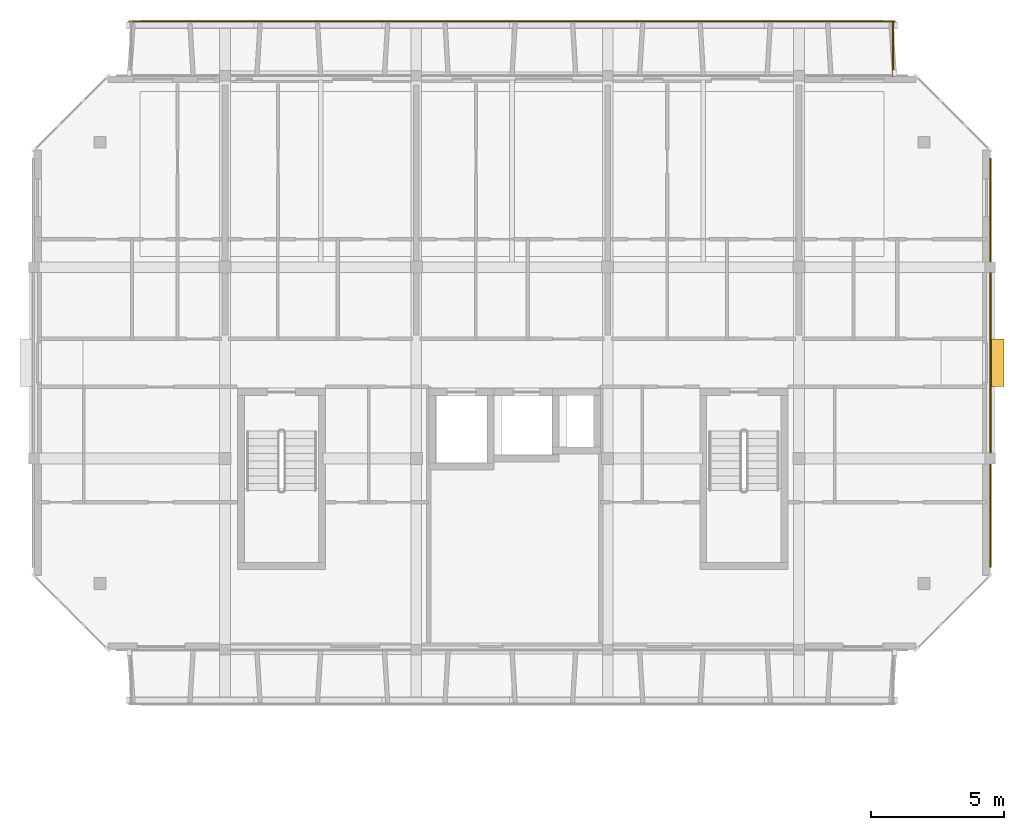
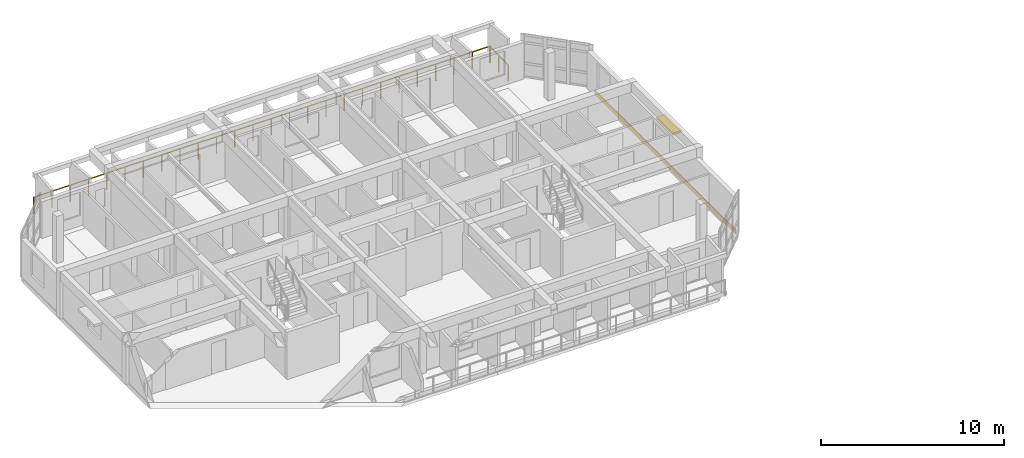
# One storey, part 19 of 19: 2 railings, 1 covering, 1 shading device.
"""IFC4 building model written with IfcOpenShell, lengths in metres."""

from ifc_helpers import new_model, si_unit, direction, frame, origin, origin_2d, place, context, subcontext, project, spatial, rectangle, circle, extrude, material, layer, layer_set, type_object, element, save


model = new_model("IFC4")

# Units and contexts
model_context = context("Model", 3, precision=1e-05, world=origin(), true_north=direction((0.0, 1.0)))
body_context = subcontext(model_context, "Body", "Model", "MODEL_VIEW")
ifc_project = project(units=[si_unit("LENGTHUNIT", "METRE"), si_unit("AREAUNIT", "SQUARE_METRE"), si_unit("VOLUMEUNIT", "CUBIC_METRE"), si_unit("PLANEANGLEUNIT", "RADIAN"), si_unit("MASSUNIT", "GRAM", prefix="KILO")], contexts=[model_context])

# Site, building, storey
site_placement = place(None, origin())
site = spatial("IfcSite", under=ifc_project, at=site_placement, CompositionType="ELEMENT")
building_placement = place(site_placement, origin())
building = spatial("IfcBuilding", under=site, at=building_placement, Name="Ochrevale Crest", CompositionType="ELEMENT")
storey_placement = place(building_placement, frame((0.0, 0.0, 43.35009765625)))
storey = spatial("IfcBuildingStorey", under=building, at=storey_placement, Name="L13", CompositionType="ELEMENT", Elevation=43.35009765625)

# Covering
ifc_material_1 = material(Name="Glazed terracotta rainscreen tile", Category="masonry")
ifc_layer = layer(ifc_material_1, 0.048095703125)
ifc_layer_set = layer_set([ifc_layer], Name="Glazed terracotta rainscreen tile")
covering_type = type_object("IfcCoveringType", Name="COV-CLAD-TER", PredefinedType="CLADDING", material=ifc_layer_set)
covering_placement = place(storey_placement, frame((165.614501953125, 82.800048828125, -0.26025390625), z_axis=(0.0, 0.0, 1.0), x_axis=(0.0, 1.0, 0.0)))
element("IfcCovering", 1, at=covering_placement, inside=storey, type_object=covering_type, Name="Block D L13 terracotta slab-edge spandrel cladding", PredefinedType="CLADDING", context=body_context, shape_type="SweptSolid", body=[
    extrude(rectangle(XDim=15.39990234375, YDim=0.06005859375, at=origin_2d()), origin(), (0.0, 0.0, 1.0), 0.280029296875),
])

# Railings
ifc_material_2 = material(Name="Galvanised steel", Category="steel")
railing_type = type_object("IfcRailingType", Name="RL-BAL-1100", PredefinedType="BALUSTRADE", material=ifc_material_2)
railing_1_placement = place(storey_placement, frame((133.199951171875, 95.639892578125, 0.0)))
element("IfcRailing", 2, at=railing_1_placement, inside=storey, type_object=railing_type, Name="Block D L13 N balcony front balustrade", PredefinedType="BALUSTRADE", context=body_context, shape_type="SweptSolid", body=[
    extrude(circle(Radius=0.02392578125, at=origin_2d()), frame((0.0, 0.0, 1.0859375), z_axis=(1.0, 0.0, 0.0), x_axis=(0.0, 1.0, 0.0)), (0.0, 0.0, 1.0), 28.800048828125),
    extrude(circle(Radius=0.02099609375, at=origin_2d()), origin(), (0.0, 0.0, 1.0), 1.06201171875),
    extrude(circle(Radius=0.02099609375, at=origin_2d()), frame((1.152099609375, 0.0, 0.0)), (0.0, 0.0, 1.0), 1.06201171875),
    extrude(circle(Radius=0.02099609375, at=origin_2d()), frame((2.303955078125, 0.0, 0.0)), (0.0, 0.0, 1.0), 1.06201171875),
    extrude(circle(Radius=0.02099609375, at=origin_2d()), frame((3.4560546875, 0.0, 0.0)), (0.0, 0.0, 1.0), 1.06201171875),
    extrude(circle(Radius=0.02099609375, at=origin_2d()), frame((4.60791015625, 0.0, 0.0)), (0.0, 0.0, 1.0), 1.06201171875),
    extrude(circle(Radius=0.02099609375, at=origin_2d()), frame((5.760009765625, 0.0, 0.0)), (0.0, 0.0, 1.0), 1.06201171875),
    extrude(circle(Radius=0.02099609375, at=origin_2d()), frame((6.912109375, 0.0, 0.0)), (0.0, 0.0, 1.0), 1.06201171875),
    extrude(circle(Radius=0.02099609375, at=origin_2d()), frame((8.06396484375, 0.0, 0.0)), (0.0, 0.0, 1.0), 1.06201171875),
    extrude(circle(Radius=0.02099609375, at=origin_2d()), frame((9.216064453125, 0.0, 0.0)), (0.0, 0.0, 1.0), 1.06201171875),
    extrude(circle(Radius=0.02099609375, at=origin_2d()), frame((10.367919921875, 0.0, 0.0)), (0.0, 0.0, 1.0), 1.06201171875),
    extrude(circle(Radius=0.02099609375, at=origin_2d()), frame((11.52001953125, 0.0, 0.0)), (0.0, 0.0, 1.0), 1.06201171875),
    extrude(circle(Radius=0.02099609375, at=origin_2d()), frame((12.672119140625, 0.0, 0.0)), (0.0, 0.0, 1.0), 1.06201171875),
    extrude(circle(Radius=0.02099609375, at=origin_2d()), frame((13.823974609375, 0.0, 0.0)), (0.0, 0.0, 1.0), 1.06201171875),
    extrude(circle(Radius=0.02099609375, at=origin_2d()), frame((14.97607421875, 0.0, 0.0)), (0.0, 0.0, 1.0), 1.06201171875),
    extrude(circle(Radius=0.02099609375, at=origin_2d()), frame((16.1279296875, 0.0, 0.0)), (0.0, 0.0, 1.0), 1.06201171875),
    extrude(circle(Radius=0.02099609375, at=origin_2d()), frame((17.280029296875, 0.0, 0.0)), (0.0, 0.0, 1.0), 1.06201171875),
    extrude(circle(Radius=0.02099609375, at=origin_2d()), frame((18.43212890625, 0.0, 0.0)), (0.0, 0.0, 1.0), 1.06201171875),
    extrude(circle(Radius=0.02099609375, at=origin_2d()), frame((19.583984375, 0.0, 0.0)), (0.0, 0.0, 1.0), 1.06201171875),
    extrude(circle(Radius=0.02099609375, at=origin_2d()), frame((20.736083984375, 0.0, 0.0)), (0.0, 0.0, 1.0), 1.06201171875),
    extrude(circle(Radius=0.02099609375, at=origin_2d()), frame((21.887939453125, 0.0, 0.0)), (0.0, 0.0, 1.0), 1.06201171875),
    extrude(circle(Radius=0.02099609375, at=origin_2d()), frame((23.0400390625, 0.0, 0.0)), (0.0, 0.0, 1.0), 1.06201171875),
    extrude(circle(Radius=0.02099609375, at=origin_2d()), frame((24.192138671875, 0.0, 0.0)), (0.0, 0.0, 1.0), 1.06201171875),
    extrude(circle(Radius=0.02099609375, at=origin_2d()), frame((25.343994140625, 0.0, 0.0)), (0.0, 0.0, 1.0), 1.06201171875),
    extrude(circle(Radius=0.02099609375, at=origin_2d()), frame((26.49609375, 0.0, 0.0)), (0.0, 0.0, 1.0), 1.06201171875),
    extrude(circle(Radius=0.02099609375, at=origin_2d()), frame((27.64794921875, 0.0, 0.0)), (0.0, 0.0, 1.0), 1.06201171875),
    extrude(circle(Radius=0.02099609375, at=origin_2d()), frame((28.800048828125, 0.0, 0.0)), (0.0, 0.0, 1.0), 1.06201171875),
])
railing_2_placement = place(storey_placement, frame((161.93994140625, 93.60009765625, 0.0)))
element("IfcRailing", 3, at=railing_2_placement, inside=storey, type_object=railing_type, Name="Block D L13 N-E balcony side guard", PredefinedType="BALUSTRADE", context=body_context, shape_type="SweptSolid", body=[
    extrude(circle(Radius=0.02392578125, at=origin_2d()), frame((0.0, 0.0, 1.0859375), z_axis=(0.0, 1.0, 0.0), x_axis=(-1.0, 0.0, 0.0)), (0.0, 0.0, 1.0), 2.039794921875),
    extrude(circle(Radius=0.02099609375, at=origin_2d()), origin(), (0.0, 0.0, 1.0), 1.06201171875),
    extrude(circle(Radius=0.02099609375, at=origin_2d()), frame((0.0, 1.02001953125, 0.0)), (0.0, 0.0, 1.0), 1.06201171875),
    extrude(circle(Radius=0.02099609375, at=origin_2d()), frame((0.0, 2.039794921875, 0.0)), (0.0, 0.0, 1.0), 1.06201171875),
])

# Shading device
ifc_material_3 = material(Name="Anodised aluminium 6063-T5", Category="aluminium")
shading_device_type = type_object("IfcShadingDeviceType", Name="SHD-SUNSHADE-OC", PredefinedType="USERDEFINED", material=ifc_material_3)
shading_device_placement = place(storey_placement, frame((165.840087890625, 82.800048828125, 2.2099609375), z_axis=(0.0, 0.0, 1.0), x_axis=(1.0, 0.0, 0.0)))
element("IfcShadingDevice", 4, at=shading_device_placement, inside=storey, type_object=shading_device_type, Name="Block D L13 gable window sunshade E", ObjectType="HORIZONTAL SUNSHADE", PredefinedType="USERDEFINED", context=body_context, shape_type="SweptSolid", body=[
    extrude(rectangle(XDim=0.550048828125, YDim=1.800048828125, at=origin_2d()), origin(), (0.0, 0.0, 1.0), 0.139892578125),
])

save(model, "model.ifc")
